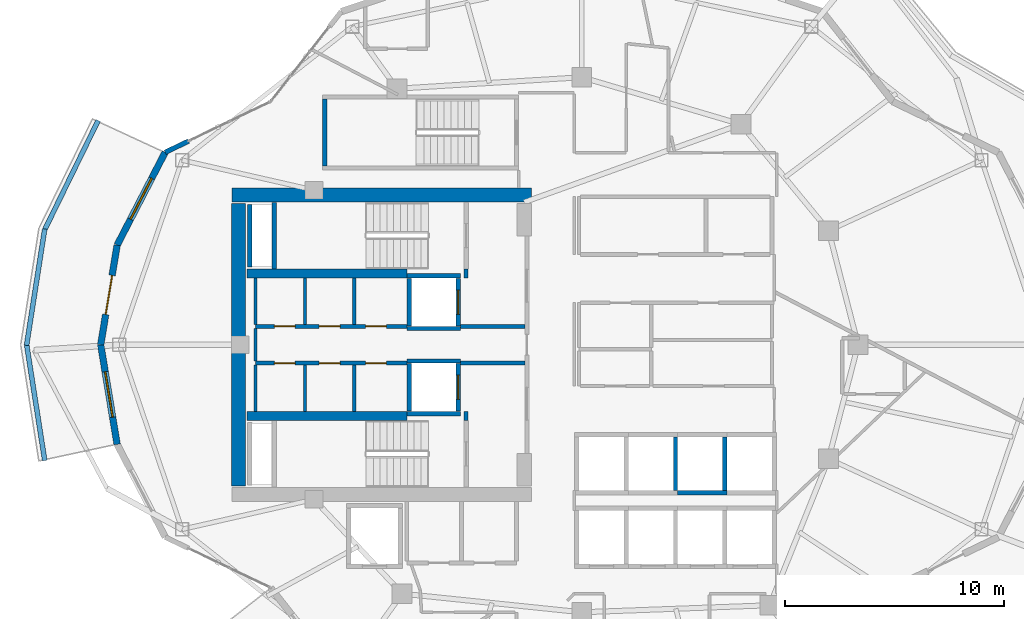
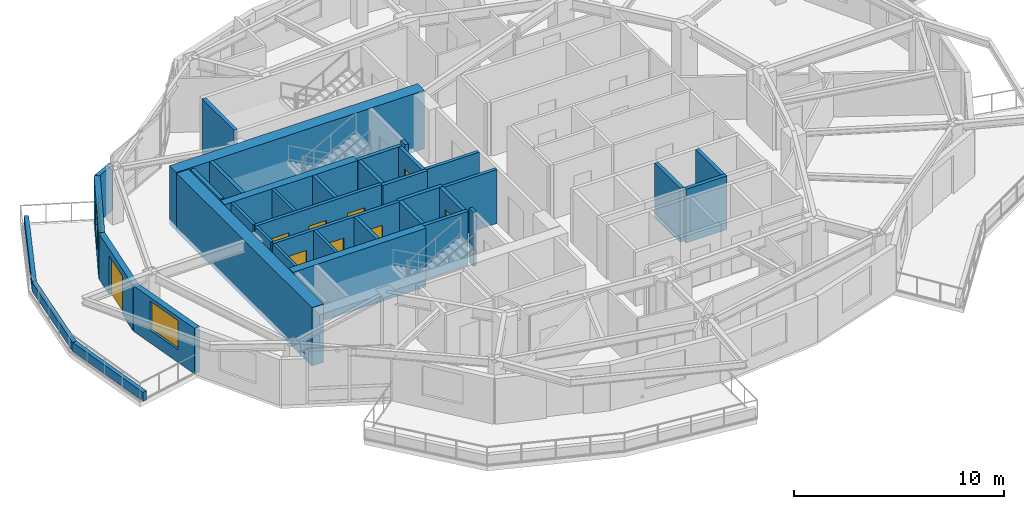
# One storey, part 8 of 13: 38 walls, 9 doors, 2 windows, 11 openings.
"""IFC4 building model written with IfcOpenShell, lengths in metres."""

from ifc_helpers import new_model, si_unit, direction, frame, frame_2d, origin, place, context, subcontext, project, spatial, rectangle, extrude, material, layer, layer_set, type_object, element, fill, save


model = new_model("IFC4")

# Units and contexts
model_context = context("Model", 3, precision=1e-05, world=origin(), true_north=direction((0.0, 1.0)))
body_context = subcontext(model_context, "Body", "Model", "MODEL_VIEW")
ifc_project = project(units=[si_unit("LENGTHUNIT", "METRE"), si_unit("AREAUNIT", "SQUARE_METRE"), si_unit("VOLUMEUNIT", "CUBIC_METRE"), si_unit("PLANEANGLEUNIT", "RADIAN"), si_unit("MASSUNIT", "GRAM", prefix="KILO")], contexts=[model_context])

# Site, building, storey
site_placement = place(None, origin())
site = spatial("IfcSite", under=ifc_project, at=site_placement, CompositionType="ELEMENT")
building_placement = place(site_placement, origin())
building = spatial("IfcBuilding", under=site, at=building_placement, Name="Kolvaren Gate Tower and Convention Centre", CompositionType="ELEMENT")
storey_placement = place(building_placement, frame((0.0, 0.0, 156.300048828125)))
storey = spatial("IfcBuildingStorey", under=building, at=storey_placement, Name="L40", CompositionType="ELEMENT", Elevation=156.300048828125)

# Walls
ifc_material_1 = material(Name="Autoclaved Aerated Masonry Blockwork Class 4 (4.0 MPa)", Category="masonry")
ifc_layer_1 = layer(ifc_material_1, 0.179931640625)
ifc_layer_set_1 = layer_set([ifc_layer_1], Name="Autoclaved Aerated Masonry Blockwork Class 4 (4.0 MPa)")
wall_type_1 = type_object("IfcWallType", Name="ARCH-WL-COMP-180", PredefinedType="SOLIDWALL", material=ifc_layer_set_1)
for number, where, z_axis, x_axis, name in (
    (1, (24.85009765625, 23.5400390625, 0.0), (0.0, 0.0, 1.0), (0.0, 1.0, 0.0), "Interior Partition WL-L40-INT-001"),
    (2, (24.85009765625, 30.0400390625, 0.0), (0.0, 0.0, 1.0), (0.0, 1.0, 0.0), "Interior Partition WL-L40-INT-002"),
):
    element("IfcWall", number, at=place(storey_placement, frame(where, z_axis=z_axis, x_axis=x_axis)), inside=storey, type_object=wall_type_1, Name=name, PredefinedType="SOLIDWALL", context=body_context, shape_type="SweptSolid", body=[
        extrude(rectangle(XDim=0.419921875, YDim=0.179931640625, at=frame_2d((0.2099609375, 0.0))), origin(), (0.0, 0.0, 1.0), 3.1298828125),
    ])

# Wall, openings, doors
wall_1_placement = place(storey_placement, frame((15.25, 27.840087890625, 0.0), z_axis=(0.0, 0.0, 1.0), x_axis=(1.0, 0.0, 0.0)))
wall_1 = element("IfcWall", 3, at=wall_1_placement, inside=storey, type_object=wall_type_1, Name="Interior Partition WL-L40-INT-004", PredefinedType="SOLIDWALL", context=body_context, shape_type="SweptSolid", body=[
    extrude(rectangle(XDim=6.89990234375, YDim=0.179931640625, at=frame_2d((3.449951171875, 0.0))), origin(), (0.0, 0.0, 1.0), 3.1298828125),
])
opening_1_placement = place(wall_1_placement, frame((5.02001953125, 0.0, 0.0)))
opening_1 = element("IfcOpeningElement", 4, at=opening_1_placement, cuts=wall_1, Name="Opening DR-01", PredefinedType="OPENING", context=body_context, shape_type="SweptSolid", body=[
    extrude(rectangle(XDim=0.949951171875, YDim=2.10009765625, at=frame_2d((0.47509765625, 1.050048828125))), frame((0.0, 0.099853515625, 0.0), z_axis=(0.0, -1.0, 0.0), x_axis=(1.0, 0.0, 0.0)), (0.0, 0.0, 1.0), 0.199951171875),
])
opening_2_placement = place(wall_1_placement, frame((0.85498046875, 0.0, 0.0)))
opening_2 = element("IfcOpeningElement", 5, at=opening_2_placement, cuts=wall_1, Name="Opening DR-01", PredefinedType="OPENING", context=body_context, shape_type="SweptSolid", body=[
    extrude(rectangle(XDim=0.949951171875, YDim=2.10009765625, at=frame_2d((0.47509765625, 1.050048828125))), frame((0.0, 0.099853515625, 0.0), z_axis=(0.0, -1.0, 0.0), x_axis=(1.0, 0.0, 0.0)), (0.0, 0.0, 1.0), 0.199951171875),
])
opening_3_placement = place(wall_1_placement, frame((2.89990234375, 0.0, 0.0)))
opening_3 = element("IfcOpeningElement", 6, at=opening_3_placement, cuts=wall_1, Name="Opening DR-01", PredefinedType="OPENING", context=body_context, shape_type="SweptSolid", body=[
    extrude(rectangle(XDim=0.949951171875, YDim=2.10009765625, at=frame_2d((0.47509765625, 1.050048828125))), frame((0.0, 0.099853515625, 0.0), z_axis=(0.0, -1.0, 0.0), x_axis=(1.0, 0.0, 0.0)), (0.0, 0.0, 1.0), 0.199951171875),
])
ifc_material_2 = material(Name="Painted Architectural Steelwork ASTM A500 Grade C 345 MPa", Category="steel")
door_type_1 = type_object("IfcDoorType", Name="ARCH-DR-RISER-950", OperationType="SINGLE_SWING_RIGHT", PredefinedType="DOOR", material=ifc_material_2)
door_1_placement = place(opening_1_placement, origin())
door_1 = element("IfcDoor", 7, at=door_1_placement, inside=storey, type_object=door_type_1, Name="Electrical Switchgear Closet Door", OperationType="SINGLE_SWING_RIGHT", OverallHeight=2.10009765625, OverallWidth=0.949951171875, PredefinedType="DOOR", context=body_context, shape_type="SweptSolid", body=[
    extrude(rectangle(XDim=0.949951171875, YDim=2.10009765625, at=frame_2d((0.47509765625, 1.050048828125))), frame((0.0, 0.02490234375, 0.0), z_axis=(0.0, -1.0, 0.0), x_axis=(1.0, 0.0, 0.0)), (0.0, 0.0, 1.0), 0.050048828125),
])
fill(opening_1, door_1)
door_2_placement = place(opening_2_placement, origin())
door_2 = element("IfcDoor", 8, at=door_2_placement, inside=storey, type_object=door_type_1, Name="Staff Accessible WC Door", OperationType="SINGLE_SWING_RIGHT", OverallHeight=2.10009765625, OverallWidth=0.949951171875, PredefinedType="DOOR", context=body_context, shape_type="SweptSolid", body=[
    extrude(rectangle(XDim=0.949951171875, YDim=2.10009765625, at=frame_2d((0.47509765625, 1.050048828125))), frame((0.0, 0.02490234375, 0.0), z_axis=(0.0, -1.0, 0.0), x_axis=(1.0, 0.0, 0.0)), (0.0, 0.0, 1.0), 0.050048828125),
])
fill(opening_2, door_2)
door_3_placement = place(opening_3_placement, origin())
door_3 = element("IfcDoor", 9, at=door_3_placement, inside=storey, type_object=door_type_1, Name="Housekeeping Sink Closet Door", OperationType="SINGLE_SWING_LEFT", OverallHeight=2.10009765625, OverallWidth=0.949951171875, PredefinedType="DOOR", context=body_context, shape_type="SweptSolid", body=[
    extrude(rectangle(XDim=0.949951171875, YDim=2.10009765625, at=frame_2d((0.47509765625, 1.050048828125))), frame((0.0, 0.02490234375, 0.0), z_axis=(0.0, -1.0, 0.0), x_axis=(1.0, 0.0, 0.0)), (0.0, 0.0, 1.0), 0.050048828125),
])
fill(opening_3, door_3)

# Wall
wall_2_placement = place(storey_placement, frame((24.60009765625, 27.840087890625, 0.0), z_axis=(0.0, 0.0, 1.0), x_axis=(1.0, 0.0, 0.0)))
element("IfcWall", 10, at=wall_2_placement, inside=storey, type_object=wall_type_1, Name="Interior Partition WL-L40-INT-004 (2)", PredefinedType="SOLIDWALL", context=body_context, shape_type="SweptSolid", body=[
    extrude(rectangle(XDim=2.927978515625, YDim=0.179931640625, at=frame_2d((1.4638671875, 0.0))), origin(), (0.0, 0.0, 1.0), 3.1298828125),
])

# Wall, openings, doors
wall_3_placement = place(storey_placement, frame((15.25, 26.159912109375, 0.0), z_axis=(0.0, 0.0, 1.0), x_axis=(1.0, 0.0, 0.0)))
wall_3 = element("IfcWall", 11, at=wall_3_placement, inside=storey, type_object=wall_type_1, Name="Interior Partition WL-L40-INT-005", PredefinedType="SOLIDWALL", context=body_context, shape_type="SweptSolid", body=[
    extrude(rectangle(XDim=6.89990234375, YDim=0.179931640625, at=frame_2d((3.449951171875, 0.0))), origin(), (0.0, 0.0, 1.0), 3.1298828125),
])
opening_4_placement = place(wall_3_placement, frame((5.02001953125, 0.0, 0.0)))
opening_4 = element("IfcOpeningElement", 12, at=opening_4_placement, cuts=wall_3, Name="Opening DR-01", PredefinedType="OPENING", context=body_context, shape_type="SweptSolid", body=[
    extrude(rectangle(XDim=0.949951171875, YDim=2.10009765625, at=frame_2d((0.47509765625, 1.050048828125))), frame((0.0, 0.099853515625, 0.0), z_axis=(0.0, -1.0, 0.0), x_axis=(1.0, 0.0, 0.0)), (0.0, 0.0, 1.0), 0.199951171875),
])
opening_5_placement = place(wall_3_placement, frame((0.85498046875, 0.0, 0.0)))
opening_5 = element("IfcOpeningElement", 13, at=opening_5_placement, cuts=wall_3, Name="Opening DR-01", PredefinedType="OPENING", context=body_context, shape_type="SweptSolid", body=[
    extrude(rectangle(XDim=0.949951171875, YDim=2.10009765625, at=frame_2d((0.47509765625, 1.050048828125))), frame((0.0, 0.099853515625, 0.0), z_axis=(0.0, -1.0, 0.0), x_axis=(1.0, 0.0, 0.0)), (0.0, 0.0, 1.0), 0.199951171875),
])
opening_6_placement = place(wall_3_placement, frame((2.89990234375, 0.0, 0.0)))
opening_6 = element("IfcOpeningElement", 14, at=opening_6_placement, cuts=wall_3, Name="Opening DR-01", PredefinedType="OPENING", context=body_context, shape_type="SweptSolid", body=[
    extrude(rectangle(XDim=0.949951171875, YDim=2.10009765625, at=frame_2d((0.47509765625, 1.050048828125))), frame((0.0, 0.099853515625, 0.0), z_axis=(0.0, -1.0, 0.0), x_axis=(1.0, 0.0, 0.0)), (0.0, 0.0, 1.0), 0.199951171875),
])
door_4_placement = place(opening_4_placement, origin())
door_4 = element("IfcDoor", 15, at=door_4_placement, inside=storey, type_object=door_type_1, Name="Domestic Water Meter Closet Door", OperationType="SINGLE_SWING_LEFT", OverallHeight=2.10009765625, OverallWidth=0.949951171875, PredefinedType="DOOR", context=body_context, shape_type="SweptSolid", body=[
    extrude(rectangle(XDim=0.949951171875, YDim=2.10009765625, at=frame_2d((0.47509765625, 1.050048828125))), frame((0.0, 0.02490234375, 0.0), z_axis=(0.0, -1.0, 0.0), x_axis=(1.0, 0.0, 0.0)), (0.0, 0.0, 1.0), 0.050048828125),
])
fill(opening_4, door_4)
door_5_placement = place(opening_5_placement, origin())
door_5 = element("IfcDoor", 16, at=door_5_placement, inside=storey, type_object=door_type_1, Name="Beverage Service Pantry Door", OperationType="SINGLE_SWING_RIGHT", OverallHeight=2.10009765625, OverallWidth=0.949951171875, PredefinedType="DOOR", context=body_context, shape_type="SweptSolid", body=[
    extrude(rectangle(XDim=0.949951171875, YDim=2.10009765625, at=frame_2d((0.47509765625, 1.050048828125))), frame((0.0, 0.02490234375, 0.0), z_axis=(0.0, -1.0, 0.0), x_axis=(1.0, 0.0, 0.0)), (0.0, 0.0, 1.0), 0.050048828125),
])
fill(opening_5, door_5)
door_6_placement = place(opening_6_placement, origin())
door_6 = element("IfcDoor", 17, at=door_6_placement, inside=storey, type_object=door_type_1, Name="Archive Supply Closet Door", OperationType="SINGLE_SWING_LEFT", OverallHeight=2.10009765625, OverallWidth=0.949951171875, PredefinedType="DOOR", context=body_context, shape_type="SweptSolid", body=[
    extrude(rectangle(XDim=0.949951171875, YDim=2.10009765625, at=frame_2d((0.47509765625, 1.050048828125))), frame((0.0, 0.02490234375, 0.0), z_axis=(0.0, -1.0, 0.0), x_axis=(1.0, 0.0, 0.0)), (0.0, 0.0, 1.0), 0.050048828125),
])
fill(opening_6, door_6)

# Walls
wall_4_placement = place(storey_placement, frame((24.60009765625, 26.159912109375, 0.0), z_axis=(0.0, 0.0, 1.0), x_axis=(1.0, 0.0, 0.0)))
element("IfcWall", 18, at=wall_4_placement, inside=storey, type_object=wall_type_1, Name="Interior Partition WL-L40-INT-005 (2)", PredefinedType="SOLIDWALL", context=body_context, shape_type="SweptSolid", body=[
    extrude(rectangle(XDim=2.927978515625, YDim=0.179931640625, at=frame_2d((1.4638671875, 0.0))), origin(), (0.0, 0.0, 1.0), 3.1298828125),
])
for number, where, z_axis, x_axis, name in (
    (19, (19.75, 23.9619140625, 0.0), (0.0, 0.0, 1.0), (0.0, 1.0, 0.0), "Interior Partition WL-L40-INT-007"),
    (20, (19.75, 27.931884765625, 0.0), (0.0, 0.0, 1.0), (0.0, 1.0, 0.0), "Interior Partition WL-L40-INT-008"),
):
    element("IfcWall", number, at=place(storey_placement, frame(where, z_axis=z_axis, x_axis=x_axis)), inside=storey, type_object=wall_type_1, Name=name, PredefinedType="SOLIDWALL", context=body_context, shape_type="SweptSolid", body=[
        extrude(rectangle(XDim=2.106201171875, YDim=0.179931640625, at=frame_2d((1.05322265625, 0.0))), origin(), (0.0, 0.0, 1.0), 3.1298828125),
    ])
ifc_material_3 = material(Name="Bogota Sabana Bush-Hammered Sandstone Cladding", Category="masonry")
ifc_layer_2 = layer(ifc_material_3, 0.219970703125)
ifc_layer_set_2 = layer_set([ifc_layer_2], Name="Bogota Sabana Bush-Hammered Sandstone Cladding")
wall_type_2 = type_object("IfcWallType", Name="ARCH-WL-PIER-220", PredefinedType="SOLIDWALL", material=ifc_layer_set_2)
wall_5_placement = place(storey_placement, frame((11.126708984375, 35.77490234375, 0.0), z_axis=(0.0, 0.0, 1.0), x_axis=(0.901264843027, 0.433268603437, 0.0)))
element("IfcWall", 21, at=wall_5_placement, inside=storey, type_object=wall_type_2, Name="Tower L40 Unitised Curtain Wall CW-HTL-UNIT Bay 09 Left Column Pier Wrap", PredefinedType="SOLIDWALL", context=body_context, shape_type="SweptSolid", body=[
    extrude(rectangle(XDim=1.18115234375, YDim=0.219970703125, at=frame_2d((0.590576171875, 0.0))), origin(), (0.0, 0.0, 1.0), 2.65283203125),
])
ifc_material_4 = material(Name="Piedmont Cream Honed Limestone Cladding", Category="masonry")
ifc_layer_3 = layer(ifc_material_4, 0.219970703125)
ifc_layer_set_3 = layer_set([ifc_layer_3], Name="Piedmont Cream Honed Limestone Cladding")
wall_type_3 = type_object("IfcWallType", Name="ARCH-WL-PLANTER-220", PredefinedType="PARAPET", material=ifc_layer_set_3)
wall_6_placement = place(storey_placement, frame((5.6220703125, 32.22119140625, 0.0), z_axis=(0.0, 0.0, 1.0), x_axis=(0.439637174641, 0.898175458735, 0.0)))
element("IfcWall", 22, at=wall_6_placement, inside=storey, type_object=wall_type_3, Name="Vertical-Forest Balcony Stone Planter Kerb PK-L40-2.1", PredefinedType="PARAPET", context=body_context, shape_type="SweptSolid", body=[
    extrude(rectangle(XDim=5.567138671875, YDim=0.219970703125, at=frame_2d((2.78369140625, 0.0))), origin(), (0.0, 0.0, 1.0), 0.52001953125),
])
for number, where, z_axis, x_axis, name in (
    (23, (4.805908203125, 26.970703125, 0.0), (0.0, 0.0, 1.0), (0.154245214003, 0.988032597619, 0.0), "Vertical-Forest Balcony Stone Planter Kerb PK-L40-2.2"),
    (24, (4.805908203125, 27.029296875, 0.0), (0.0, 0.0, 1.0), (0.154245214003, -0.988032597619, 0.0), "Vertical-Forest Balcony Stone Planter Kerb PK-L40-2.3"),
):
    element("IfcWall", number, at=place(storey_placement, frame(where, z_axis=z_axis, x_axis=x_axis)), inside=storey, type_object=wall_type_3, Name=name, PredefinedType="PARAPET", context=body_context, shape_type="SweptSolid", body=[
        extrude(rectangle(XDim=5.37353515625, YDim=0.219970703125, at=frame_2d((2.686767578125, 0.0))), origin(), (0.0, 0.0, 1.0), 0.52001953125),
    ])
ifc_layer_4 = layer(ifc_material_1, 0.199951171875)
ifc_layer_set_4 = layer_set([ifc_layer_4], Name="Autoclaved Aerated Masonry Blockwork Class 4 (4.0 MPa)")
wall_type_4 = type_object("IfcWallType", Name="ARCH-WL-SHAFT-200", PredefinedType="SOLIDWALL", material=ifc_layer_set_4)
for number, where, z_axis, x_axis, name in (
    (25, (22.14990234375, 30.139892578125, 0.0), (0.0, 0.0, 1.0), (1.0, 0.0, 0.0), "Elevator FF-01 L40 Fire Shaft Wall N"),
    (26, (22.14990234375, 27.739990234375, 0.0), (0.0, 0.0, 1.0), (1.0, 0.0, 0.0), "Elevator FF-01 L40 Fire Shaft Wall S"),
):
    element("IfcWall", number, at=place(storey_placement, frame(where, z_axis=z_axis, x_axis=x_axis)), inside=storey, type_object=wall_type_4, Name=name, PredefinedType="SOLIDWALL", context=body_context, shape_type="SweptSolid", body=[
        extrude(rectangle(XDim=2.4501953125, YDim=0.199951171875, at=frame_2d((1.22509765625, 0.0))), origin(), (0.0, 0.0, 1.0), 3.1298828125),
    ])
wall_7_placement = place(storey_placement, frame((22.25, 27.85009765625, 0.0), z_axis=(0.0, 0.0, 1.0), x_axis=(0.0, 1.0, 0.0)))
element("IfcWall", 27, at=wall_7_placement, inside=storey, type_object=wall_type_4, Name="Elevator FF-01 L40 Fire Shaft Wall W", PredefinedType="SOLIDWALL", context=body_context, shape_type="SweptSolid", body=[
    extrude(rectangle(XDim=2.179931640625, YDim=0.199951171875, at=frame_2d((1.08984375, 0.0))), origin(), (0.0, 0.0, 1.0), 3.1298828125),
])

# Wall, opening, door
wall_8_placement = place(storey_placement, frame((24.5, 27.85009765625, 0.0), z_axis=(0.0, 0.0, 1.0), x_axis=(0.0, 1.0, 0.0)))
wall_8 = element("IfcWall", 28, at=wall_8_placement, inside=storey, type_object=wall_type_4, Name="Elevator FF-01 L40 Fire Shaft Wall E", PredefinedType="SOLIDWALL", context=body_context, shape_type="SweptSolid", body=[
    extrude(rectangle(XDim=2.179931640625, YDim=0.199951171875, at=frame_2d((1.08984375, 0.0))), origin(), (0.0, 0.0, 1.0), 3.1298828125),
])
opening_7_placement = place(wall_8_placement, frame((0.5400390625, 0.0, 0.0)))
opening_7 = element("IfcOpeningElement", 29, at=opening_7_placement, cuts=wall_8, Name="Opening LD", PredefinedType="OPENING", context=body_context, shape_type="SweptSolid", body=[
    extrude(rectangle(XDim=1.10009765625, YDim=2.199951171875, at=frame_2d((0.550048828125, 1.10009765625))), frame((0.0, 0.10986328125, 0.0), z_axis=(0.0, -1.0, 0.0), x_axis=(1.0, 0.0, 0.0)), (0.0, 0.0, 1.0), 0.219970703125),
])
ifc_material_5 = material(Name="Brushed Stainless Steel Grade 316L", Category="steel")
door_type_2 = type_object("IfcDoorType", Name="ARCH-DR-LIFT-1100", OperationType="SLIDING_TO_LEFT", PredefinedType="DOOR", material=ifc_material_5)
door_7_placement = place(opening_7_placement, origin())
door_7 = element("IfcDoor", 30, at=door_7_placement, inside=storey, type_object=door_type_2, Name="Elevator FF-01 L40 Sliding Landing Door", OperationType="SLIDING_TO_LEFT", OverallHeight=2.199951171875, OverallWidth=1.10009765625, PredefinedType="DOOR", context=body_context, shape_type="SweptSolid", body=[
    extrude(rectangle(XDim=1.10009765625, YDim=2.199951171875, at=frame_2d((0.550048828125, 1.10009765625))), frame((0.0, 0.02490234375, 0.0), z_axis=(0.0, -1.0, 0.0), x_axis=(1.0, 0.0, 0.0)), (0.0, 0.0, 1.0), 0.050048828125),
])
fill(opening_7, door_7)

# Walls
for number, where, z_axis, x_axis, name in (
    (31, (22.14990234375, 26.260009765625, 0.0), (0.0, 0.0, 1.0), (1.0, 0.0, 0.0), "Elevator FF-02 L40 Fire Shaft Wall N"),
    (32, (22.14990234375, 23.860107421875, 0.0), (0.0, 0.0, 1.0), (1.0, 0.0, 0.0), "Elevator FF-02 L40 Fire Shaft Wall S"),
):
    element("IfcWall", number, at=place(storey_placement, frame(where, z_axis=z_axis, x_axis=x_axis)), inside=storey, type_object=wall_type_4, Name=name, PredefinedType="SOLIDWALL", context=body_context, shape_type="SweptSolid", body=[
        extrude(rectangle(XDim=2.4501953125, YDim=0.199951171875, at=frame_2d((1.22509765625, 0.0))), origin(), (0.0, 0.0, 1.0), 3.1298828125),
    ])
wall_9_placement = place(storey_placement, frame((22.25, 23.969970703125, 0.0), z_axis=(0.0, 0.0, 1.0), x_axis=(0.0, 1.0, 0.0)))
element("IfcWall", 33, at=wall_9_placement, inside=storey, type_object=wall_type_4, Name="Elevator FF-02 L40 Fire Shaft Wall W", PredefinedType="SOLIDWALL", context=body_context, shape_type="SweptSolid", body=[
    extrude(rectangle(XDim=2.179931640625, YDim=0.199951171875, at=frame_2d((1.08984375, 0.0))), origin(), (0.0, 0.0, 1.0), 3.1298828125),
])

# Wall, opening, door
wall_10_placement = place(storey_placement, frame((24.5, 23.969970703125, 0.0), z_axis=(0.0, 0.0, 1.0), x_axis=(0.0, 1.0, 0.0)))
wall_10 = element("IfcWall", 34, at=wall_10_placement, inside=storey, type_object=wall_type_4, Name="Elevator FF-02 L40 Fire Shaft Wall E", PredefinedType="SOLIDWALL", context=body_context, shape_type="SweptSolid", body=[
    extrude(rectangle(XDim=2.179931640625, YDim=0.199951171875, at=frame_2d((1.08984375, 0.0))), origin(), (0.0, 0.0, 1.0), 3.1298828125),
])
opening_8_placement = place(wall_10_placement, frame((0.5400390625, 0.0, 0.0)))
opening_8 = element("IfcOpeningElement", 35, at=opening_8_placement, cuts=wall_10, Name="Opening LD", PredefinedType="OPENING", context=body_context, shape_type="SweptSolid", body=[
    extrude(rectangle(XDim=1.10009765625, YDim=2.199951171875, at=frame_2d((0.550048828125, 1.10009765625))), frame((0.0, 0.10986328125, 0.0), z_axis=(0.0, -1.0, 0.0), x_axis=(1.0, 0.0, 0.0)), (0.0, 0.0, 1.0), 0.219970703125),
])
door_8_placement = place(opening_8_placement, origin())
door_8 = element("IfcDoor", 36, at=door_8_placement, inside=storey, type_object=door_type_2, Name="Elevator FF-02 L40 Sliding Landing Door", OperationType="SLIDING_TO_LEFT", OverallHeight=2.199951171875, OverallWidth=1.10009765625, PredefinedType="DOOR", context=body_context, shape_type="SweptSolid", body=[
    extrude(rectangle(XDim=1.10009765625, YDim=2.199951171875, at=frame_2d((0.550048828125, 1.10009765625))), frame((0.0, 0.02490234375, 0.0), z_axis=(0.0, -1.0, 0.0), x_axis=(1.0, 0.0, 0.0)), (0.0, 0.0, 1.0), 0.050048828125),
])
fill(opening_8, door_8)

# Walls
wall_11_placement = place(storey_placement, frame((34.39990234375, 20.360107421875, 0.0), z_axis=(0.0, 0.0, 1.0), x_axis=(0.0, 1.0, 0.0)))
element("IfcWall", 37, at=wall_11_placement, inside=storey, type_object=wall_type_4, Name="Elevator PL-10 L40 Fire Shaft Wall E", PredefinedType="SOLIDWALL", context=body_context, shape_type="SweptSolid", body=[
    extrude(rectangle(XDim=2.429931640625, YDim=0.199951171875, at=frame_2d((1.21484375, 0.0))), origin(), (0.0, 0.0, 1.0), 3.1298828125),
])
wall_12_placement = place(storey_placement, frame((34.5, 20.25, 0.0), z_axis=(0.0, 0.0, 1.0), x_axis=(1.0, 0.0, 0.0)))
element("IfcWall", 38, at=wall_12_placement, inside=storey, type_object=wall_type_4, Name="Elevator PL-11 L40 Fire Shaft Wall S", PredefinedType="SOLIDWALL", context=body_context, shape_type="SweptSolid", body=[
    extrude(rectangle(XDim=2.25, YDim=0.199951171875, at=frame_2d((1.125, 0.0))), origin(), (0.0, 0.0, 1.0), 3.1298828125),
])
wall_13_placement = place(storey_placement, frame((36.64990234375, 20.360107421875, 0.0), z_axis=(0.0, 0.0, 1.0), x_axis=(0.0, 1.0, 0.0)))
element("IfcWall", 39, at=wall_13_placement, inside=storey, type_object=wall_type_4, Name="Elevator PL-11 L40 Fire Shaft Wall E", PredefinedType="SOLIDWALL", context=body_context, shape_type="SweptSolid", body=[
    extrude(rectangle(XDim=2.429931640625, YDim=0.199951171875, at=frame_2d((1.21484375, 0.0))), origin(), (0.0, 0.0, 1.0), 3.1298828125),
])
wall_14_placement = place(storey_placement, frame((14.989990234375, 30.550048828125, 0.0), z_axis=(0.0, 0.0, 1.0), x_axis=(0.0, 1.0, 0.0)))
element("IfcWall", 40, at=wall_14_placement, inside=storey, type_object=wall_type_4, Name="Vertical Shaft HVR L40 EI-120 Enclosure Wall W", PredefinedType="SOLIDWALL", context=body_context, shape_type="SweptSolid", body=[
    extrude(rectangle(XDim=2.849853515625, YDim=0.199951171875, at=frame_2d((1.4248046875, 0.0))), origin(), (0.0, 0.0, 1.0), 3.1298828125),
])

# Wall, opening, window
ifc_layer_5 = layer(ifc_material_4, 0.300048828125)
ifc_layer_set_5 = layer_set([ifc_layer_5], Name="Piedmont Cream Honed Limestone Cladding")
wall_type_5 = type_object("IfcWallType", Name="ARCH-WL-STONE-300", PredefinedType="SOLIDWALL", material=ifc_layer_set_5)
wall_15_placement = place(storey_placement, frame((8.93505859375, 31.542236328125, 0.0), z_axis=(0.0, 0.0, 1.0), x_axis=(0.459810251451, 0.888017191647, 0.0)))
wall_15 = element("IfcWall", 41, at=wall_15_placement, inside=storey, type_object=wall_type_5, Name="Tower L40 Honed Stone Spandrel Wall EW-10", PredefinedType="SOLIDWALL", context=body_context, shape_type="SweptSolid", body=[
    extrude(rectangle(XDim=4.766357421875, YDim=0.300048828125, at=frame_2d((2.38330078125, 0.0))), origin(), (0.0, 0.0, 1.0), 2.65283203125),
])
opening_9_placement = place(wall_15_placement, frame((1.3330078125, 0.0, 0.739990234375)))
opening_9 = element("IfcOpeningElement", 42, at=opening_9_placement, cuts=wall_15, Name="Opening W-02", PredefinedType="OPENING", context=body_context, shape_type="SweptSolid", body=[
    extrude(rectangle(XDim=2.10009765625, YDim=1.699951171875, at=frame_2d((1.050048828125, 0.85009765625))), frame((0.0, 0.159912109375, 0.0), z_axis=(0.0, -1.0, 0.0), x_axis=(1.0, 0.0, 0.0)), (0.0, 0.0, 1.0), 0.320068359375),
])
ifc_material_6 = material(Name="Low-E Triple Insulated Glazing Unit 44 mm", Category="glass")
window_type = type_object("IfcWindowType", Name="ARCH-WN-HTL-2100", PartitioningType="SINGLE_PANEL", PredefinedType="WINDOW", material=ifc_material_6)
window_1_placement = place(opening_9_placement, origin())
window_1 = element("IfcWindow", 43, at=window_1_placement, inside=storey, type_object=window_type, Name="Tower L40 Punched Stone Facade Window W-10", OverallHeight=1.699951171875, OverallWidth=2.10009765625, PartitioningType="SINGLE_PANEL", PredefinedType="WINDOW", context=body_context, shape_type="SweptSolid", body=[
    extrude(rectangle(XDim=2.10009765625, YDim=1.699951171875, at=frame_2d((1.050048828125, 0.85009765625))), frame((0.0, 0.030029296875, 0.0), z_axis=(0.0, -1.0, 0.0), x_axis=(1.0, 0.0, 0.0)), (0.0, 0.0, 1.0), 0.06005859375),
])
fill(opening_9, window_1)

# Wall, opening, door
wall_16_placement = place(storey_placement, frame((8.1875, 27.0, 0.0), z_axis=(0.0, 0.0, 1.0), x_axis=(0.162394765401, 0.986725868806, 0.0)))
wall_16 = element("IfcWall", 44, at=wall_16_placement, inside=storey, type_object=wall_type_5, Name="Tower L40 Honed Stone Spandrel Wall EW-11", PredefinedType="SOLIDWALL", context=body_context, shape_type="SweptSolid", body=[
    extrude(rectangle(XDim=4.603271484375, YDim=0.300048828125, at=frame_2d((2.3017578125, 0.0))), origin(), (0.0, 0.0, 1.0), 2.65283203125),
])
opening_10_placement = place(wall_16_placement, frame((1.402099609375, 0.0, 0.0)))
opening_10 = element("IfcOpeningElement", 45, at=opening_10_placement, cuts=wall_16, Name="Opening DB-01", PredefinedType="OPENING", context=body_context, shape_type="SweptSolid", body=[
    extrude(rectangle(XDim=1.800048828125, YDim=2.25, at=frame_2d((0.89990234375, 1.125))), frame((0.0, 0.159912109375, 0.0), z_axis=(0.0, -1.0, 0.0), x_axis=(1.0, 0.0, 0.0)), (0.0, 0.0, 1.0), 0.320068359375),
])
ifc_material_7 = material(Name="Anodized Architectural Aluminium Alloy 6063-T6", Category="aluminium")
door_type_3 = type_object("IfcDoorType", Name="ARCH-DR-BALC-1800", OperationType="SLIDING_TO_LEFT", PredefinedType="DOOR", material=ifc_material_7)
door_9_placement = place(opening_10_placement, origin())
door_9 = element("IfcDoor", 46, at=door_9_placement, inside=storey, type_object=door_type_3, Name="Planted Sky Terrace Access Door DB-L40-11", OperationType="SLIDING_TO_LEFT", OverallHeight=2.25, OverallWidth=1.800048828125, PredefinedType="DOOR", context=body_context, shape_type="SweptSolid", body=[
    extrude(rectangle(XDim=1.800048828125, YDim=2.25, at=frame_2d((0.89990234375, 1.125))), frame((0.0, 0.02490234375, 0.0), z_axis=(0.0, -1.0, 0.0), x_axis=(1.0, 0.0, 0.0)), (0.0, 0.0, 1.0), 0.050048828125),
])
fill(opening_10, door_9)

# Wall, opening, window
wall_17_placement = place(storey_placement, frame((8.1875, 27.0, 0.0), z_axis=(0.0, 0.0, 1.0), x_axis=(0.162394765401, -0.986725868806, 0.0)))
wall_17 = element("IfcWall", 47, at=wall_17_placement, inside=storey, type_object=wall_type_5, Name="Tower L40 Honed Stone Spandrel Wall EW-12", PredefinedType="SOLIDWALL", context=body_context, shape_type="SweptSolid", body=[
    extrude(rectangle(XDim=4.603271484375, YDim=0.300048828125, at=frame_2d((2.3017578125, 0.0))), origin(), (0.0, 0.0, 1.0), 2.65283203125),
])
opening_11_placement = place(wall_17_placement, frame((1.251953125, 0.0, 0.739990234375)))
opening_11 = element("IfcOpeningElement", 48, at=opening_11_placement, cuts=wall_17, Name="Opening W-02", PredefinedType="OPENING", context=body_context, shape_type="SweptSolid", body=[
    extrude(rectangle(XDim=2.10009765625, YDim=1.699951171875, at=frame_2d((1.050048828125, 0.85009765625))), frame((0.0, 0.159912109375, 0.0), z_axis=(0.0, -1.0, 0.0), x_axis=(1.0, 0.0, 0.0)), (0.0, 0.0, 1.0), 0.320068359375),
])
window_2_placement = place(opening_11_placement, origin())
window_2 = element("IfcWindow", 49, at=window_2_placement, inside=storey, type_object=window_type, Name="Tower L40 Punched Stone Facade Window W-12", OverallHeight=1.699951171875, OverallWidth=2.10009765625, PartitioningType="SINGLE_PANEL", PredefinedType="WINDOW", context=body_context, shape_type="SweptSolid", body=[
    extrude(rectangle(XDim=2.10009765625, YDim=1.699951171875, at=frame_2d((1.050048828125, 0.85009765625))), frame((0.0, 0.030029296875, 0.0), z_axis=(0.0, -1.0, 0.0), x_axis=(1.0, 0.0, 0.0)), (0.0, 0.0, 1.0), 0.06005859375),
])
fill(opening_11, window_2)

# Walls
ifc_material_8 = material(Name="Moisture-Resistant Cement-Board Acoustic Partition", Category="gypsum")
ifc_layer_6 = layer(ifc_material_8, 0.14990234375)
ifc_layer_set_6 = layer_set([ifc_layer_6], Name="Moisture-Resistant Cement-Board Acoustic Partition")
wall_type_6 = type_object("IfcWallType", Name="ARCH-WL-WET-150", PredefinedType="PARTITIONING", material=ifc_layer_set_6)
wall_18_placement = place(storey_placement, frame((15.25, 23.9619140625, 0.0), z_axis=(0.0, 0.0, 1.0), x_axis=(0.0, 1.0, 0.0)))
element("IfcWall", 50, at=wall_18_placement, inside=storey, type_object=wall_type_6, Name="Interior Partition WL-L40-INT-006", PredefinedType="PARTITIONING", context=body_context, shape_type="SweptSolid", body=[
    extrude(rectangle(XDim=2.106201171875, YDim=0.14990234375, at=frame_2d((1.05322265625, 0.0))), origin(), (0.0, 0.0, 1.0), 3.1298828125),
])
wall_19_placement = place(storey_placement, frame((15.25, 26.251953125, 0.0), z_axis=(0.0, 0.0, 1.0), x_axis=(0.0, 1.0, 0.0)))
element("IfcWall", 51, at=wall_19_placement, inside=storey, type_object=wall_type_6, Name="Interior Partition WL-L40-INT-006 (2)", PredefinedType="PARTITIONING", context=body_context, shape_type="SweptSolid", body=[
    extrude(rectangle(XDim=1.49609375, YDim=0.14990234375, at=frame_2d((0.748046875, 0.0))), origin(), (0.0, 0.0, 1.0), 3.1298828125),
])
for number, where, z_axis, x_axis, name in (
    (52, (15.25, 27.931884765625, 0.0), (0.0, 0.0, 1.0), (0.0, 1.0, 0.0), "Interior Partition WL-L40-INT-006 (3)"),
    (53, (17.5, 23.9619140625, 0.0), (0.0, 0.0, 1.0), (0.0, 1.0, 0.0), "Interior Partition WL-L40-INT-009"),
    (54, (17.5, 27.931884765625, 0.0), (0.0, 0.0, 1.0), (0.0, 1.0, 0.0), "Interior Partition WL-L40-INT-010"),
):
    element("IfcWall", number, at=place(storey_placement, frame(where, z_axis=z_axis, x_axis=x_axis)), inside=storey, type_object=wall_type_6, Name=name, PredefinedType="PARTITIONING", context=body_context, shape_type="SweptSolid", body=[
        extrude(rectangle(XDim=2.106201171875, YDim=0.14990234375, at=frame_2d((1.05322265625, 0.0))), origin(), (0.0, 0.0, 1.0), 3.1298828125),
    ])
ifc_material_9 = material(Name="Concrete C50/60", Category="concrete")
ifc_layer_7 = layer(ifc_material_9, 0.419921875)
ifc_layer_set_7 = layer_set([ifc_layer_7], Name="Concrete C50/60")
wall_type_7 = type_object("IfcWallType", Name="STR-WL-CONV-420", PredefinedType="SHEAR", material=ifc_layer_set_7)
for number, where, z_axis, x_axis, name in (
    (55, (14.85009765625, 30.25, -0.27001953125), (0.0, 0.0, 1.0), (1.0, 0.0, 0.0), "Tower L40 Offset Core Shear Wall WN"),
    (56, (14.85009765625, 23.75, -0.27001953125), (0.0, 0.0, 1.0), (1.0, 0.0, 0.0), "Tower L40 Offset Core Shear Wall WS"),
):
    element("IfcWall", number, at=place(storey_placement, frame(where, z_axis=z_axis, x_axis=x_axis)), inside=storey, type_object=wall_type_7, Name=name, PredefinedType="SHEAR", context=body_context, shape_type="SweptSolid", body=[
        extrude(rectangle(XDim=7.2998046875, YDim=0.419921875, at=frame_2d((3.64990234375, 0.0))), origin(), (0.0, 0.0, 1.0), 3.39990234375),
    ])
ifc_material_10 = material(Name="Concrete C60/75", Category="concrete")
ifc_layer_8 = layer(ifc_material_10, 0.64990234375)
ifc_layer_set_8 = layer_set([ifc_layer_8], Name="Concrete C60/75")
wall_type_8 = type_object("IfcWallType", Name="STR-WL-CORE-650", PredefinedType="SHEAR", material=ifc_layer_set_8)
wall_20_placement = place(storey_placement, frame((14.175048828125, 33.824951171875, -0.27001953125), z_axis=(0.0, 0.0, 1.0), x_axis=(1.0, 0.0, 0.0)))
element("IfcWall", 57, at=wall_20_placement, inside=storey, type_object=wall_type_8, Name="Tower L40 Offset Core Shear Wall N", PredefinedType="SHEAR", context=body_context, shape_type="SweptSolid", body=[
    extrude(rectangle(XDim=13.64990234375, YDim=0.64990234375, at=frame_2d((6.824951171875, 0.0))), origin(), (0.0, 0.0, 1.0), 3.39990234375),
])
wall_21_placement = place(storey_placement, frame((14.47509765625, 20.550048828125, -0.27001953125), z_axis=(0.0, 0.0, 1.0), x_axis=(0.0, 1.0, 0.0)))
element("IfcWall", 58, at=wall_21_placement, inside=storey, type_object=wall_type_8, Name="Tower L40 Offset Core Shear Wall W", PredefinedType="SHEAR", context=body_context, shape_type="SweptSolid", body=[
    extrude(rectangle(XDim=12.89990234375, YDim=0.64990234375, at=frame_2d((6.449951171875, 0.0))), origin(), (0.0, 0.0, 1.0), 3.39990234375),
])
ifc_layer_9 = layer(ifc_material_9, 0.199951171875)
ifc_layer_set_9 = layer_set([ifc_layer_9], Name="Concrete C50/60")
wall_type_9 = type_object("IfcWallType", Name="STR-WL-SHAFT-200", PredefinedType="SHEAR", material=ifc_layer_set_9)
wall_22_placement = place(storey_placement, frame((16.10009765625, 30.4619140625, -0.27001953125), z_axis=(0.0, 0.0, 1.0), x_axis=(0.0, 1.0, 0.0)))
element("IfcWall", 59, at=wall_22_placement, inside=storey, type_object=wall_type_9, Name="Tower North Exit Stair ST-T1 L40 Structural Shear Enclosure Wall FAR", PredefinedType="SHEAR", context=body_context, shape_type="SweptSolid", body=[
    extrude(rectangle(XDim=3.0361328125, YDim=0.199951171875, at=frame_2d((1.51806640625, 0.0))), origin(), (0.0, 0.0, 1.0), 3.39990234375),
])
wall_23_placement = place(storey_placement, frame((18.39990234375, 35.159912109375, -0.27001953125), z_axis=(0.0, 0.0, 1.0), x_axis=(0.0, 1.0, 0.0)))
element("IfcWall", 60, at=wall_23_placement, inside=storey, type_object=wall_type_9, Name="Tower Mid-Zone Exit Stair ST-T3 L40 Structural Shear Enclosure Wall FAR", PredefinedType="SHEAR", context=body_context, shape_type="SweptSolid", body=[
    extrude(rectangle(XDim=3.0400390625, YDim=0.199951171875, at=frame_2d((1.52001953125, 0.0))), origin(), (0.0, 0.0, 1.0), 3.39990234375),
])

save(model, "model.ifc")
